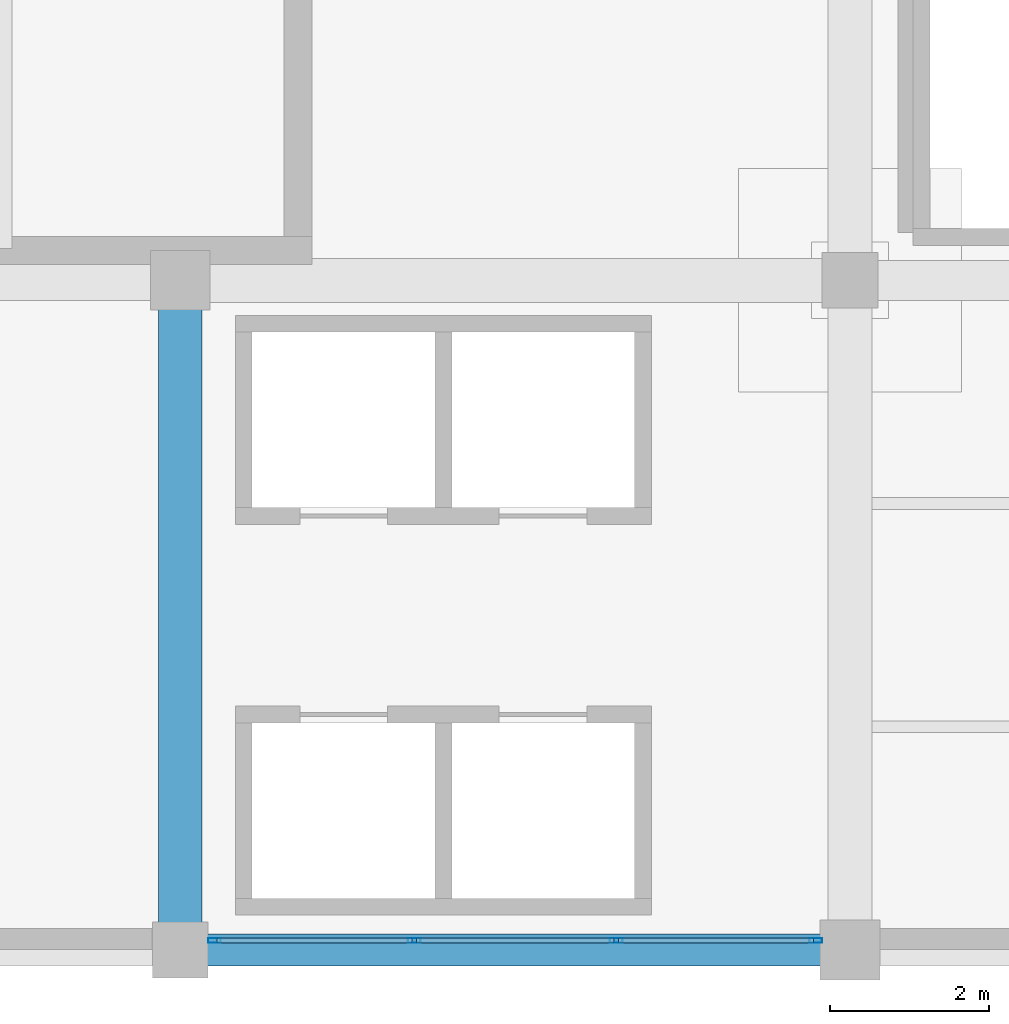
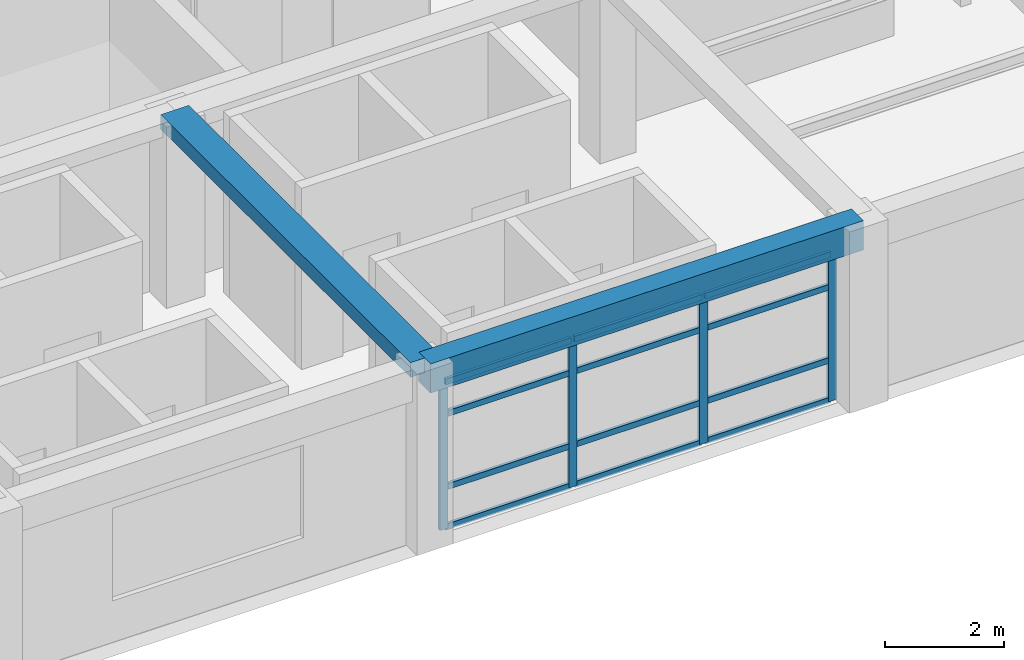
# One storey, part 4 of 26: 16 members, 2 beams, 1 element without a shape of its own.
"""IFC4 building model written with IfcOpenShell, lengths in metres."""

from ifc_helpers import new_model, si_unit, direction, frame, origin, origin_2d, place, context, subcontext, project, spatial, rectangle, hollow_rectangle, extrude, material, material_profile, profile_set, type_object, element, aggregate, save


model = new_model("IFC4")

# Units and contexts
model_context = context("Model", 3, precision=1e-05, world=origin(), true_north=direction((0.0, 1.0)))
body_context = subcontext(model_context, "Body", "Model", "MODEL_VIEW")
ifc_project = project(units=[si_unit("LENGTHUNIT", "METRE"), si_unit("AREAUNIT", "SQUARE_METRE"), si_unit("VOLUMEUNIT", "CUBIC_METRE"), si_unit("PLANEANGLEUNIT", "RADIAN"), si_unit("MASSUNIT", "GRAM", prefix="KILO")], contexts=[model_context])

# Site, building, storey
site_placement = place(None, origin())
site = spatial("IfcSite", under=ifc_project, at=site_placement, CompositionType="ELEMENT")
building_placement = place(site_placement, origin())
building = spatial("IfcBuilding", under=site, at=building_placement, Name="Almacenes y Pasaje Nevantli", CompositionType="ELEMENT")
storey_placement = place(building_placement, frame((0.0, 0.0, 30.699951171875)))
storey = spatial("IfcBuildingStorey", under=building, at=storey_placement, Name="L07", CompositionType="ELEMENT", Elevation=30.699951171875)

# Beams
ifc_material_1 = material(Name="Concrete C35/45", Category="concrete")
ifc_material_profile_1 = material_profile(ifc_material_1, rectangle(XDim=0.39990234375, YDim=0.60009765625, at=origin_2d()), Name="RC-BM-400x600")
ifc_profile_set_1 = profile_set([ifc_material_profile_1], Name="Concrete C35/45")
beam_type_1 = type_object("IfcBeamType", Name="BM-RC-400x600", PredefinedType="SPANDREL", material=ifc_profile_set_1)
beam_1_placement = place(storey_placement, frame((126.0, 67.199951171875, 3.420166015625), z_axis=(1.0, 0.0, 0.0), x_axis=(0.0, 1.0, 0.0)))
element("IfcBeam", 1, at=beam_1_placement, inside=storey, type_object=beam_type_1, Name="L07 East-West Reinforced Concrete Beam #3631", PredefinedType="SPANDREL", context=body_context, shape_type="SweptSolid", body=[
    extrude(rectangle(XDim=0.39990234375, YDim=0.60009765625, at=origin_2d()), origin(), (0.0, 0.0, 1.0), 8.39990234375),
])
ifc_material_2 = material(Name="Concrete C35/45", Category="concrete")
ifc_material_profile_2 = material_profile(ifc_material_2, rectangle(XDim=0.550048828125, YDim=0.300048828125, at=origin_2d()), Name="RC-BM-550x300")
ifc_profile_set_2 = profile_set([ifc_material_profile_2], Name="Concrete C35/45")
beam_type_2 = type_object("IfcBeamType", Name="BM-RC-550x300", PredefinedType="BEAM", material=ifc_profile_set_2)
beam_2_placement = place(storey_placement, frame((126.0, 67.199951171875, 3.570068359375), z_axis=(0.0, 1.0, 0.0), x_axis=(-1.0, 0.0, 0.0)))
element("IfcBeam", 2, at=beam_2_placement, inside=storey, type_object=beam_type_2, Name="L07 North-South Reinforced Concrete Beam #3667", PredefinedType="BEAM", context=body_context, shape_type="SweptSolid", body=[
    extrude(rectangle(XDim=0.550048828125, YDim=0.300048828125, at=origin_2d()), origin(), (0.0, 0.0, 1.0), 8.400146484375),
])

# Curtain wall, members
ifc_material_3 = material(Name="Thermally Broken Aluminium and Low-E Glass", Category="aluminium")
curtain_wall_type = type_object("IfcCurtainWallType", Name="CW-UNIT-TOWER", PredefinedType="USERDEFINED", material=ifc_material_3)
curtain_wall_placement = place(storey_placement, origin())
curtain_wall = element("IfcCurtainWall", 3, at=curtain_wall_placement, inside=storey, type_object=curtain_wall_type, Name="L07 Tower South Unitized Curtain Wall Bay 16", ObjectType="UNITIZED CURTAIN WALL", PredefinedType="USERDEFINED")
ifc_material_4 = material(Name="Thermally Broken Anodized Aluminium", Category="aluminium")
ifc_material_profile_3 = material_profile(ifc_material_4, hollow_rectangle(XDim=0.06005859375, YDim=0.159912109375, WallThickness=0.00390625, at=origin_2d()), Name="ALU-MUL-60x160")
ifc_profile_set_3 = profile_set([ifc_material_profile_3], Name="Thermally Broken Anodized Aluminium")
member_type_1 = type_object("IfcMemberType", Name="CW-MUL-180", PredefinedType="MULLION", material=ifc_profile_set_3)
member_1_placement = place(storey_placement, frame((126.429931640625, 67.320068359375, 0.0), z_axis=(0.0, 0.0, 1.0), x_axis=(0.0, 1.0, 0.0)))
member_1 = element("IfcMember", 4, at=member_1_placement, type_object=member_type_1, Name="CW-L07-113 mullion 1", PredefinedType="MULLION", context=body_context, shape_type="SweptSolid", body=[
    extrude(hollow_rectangle(XDim=0.06005859375, YDim=0.159912109375, WallThickness=0.00390625, at=origin_2d()), origin(), (0.0, 0.0, 1.0), 3.0400390625),
])
member_2_placement = place(storey_placement, frame((128.933349609375, 67.320068359375, 0.0), z_axis=(0.0, 0.0, 1.0), x_axis=(0.0, 1.0, 0.0)))
member_2 = element("IfcMember", 5, at=member_2_placement, type_object=member_type_1, Name="CW-L07-113 mullion 2", PredefinedType="MULLION", context=body_context, shape_type="SweptSolid", body=[
    extrude(hollow_rectangle(XDim=0.06005859375, YDim=0.159912109375, WallThickness=0.00390625, at=origin_2d()), origin(), (0.0, 0.0, 1.0), 3.0400390625),
])
member_3_placement = place(storey_placement, frame((131.466552734375, 67.320068359375, 0.0), z_axis=(0.0, 0.0, 1.0), x_axis=(0.0, 1.0, 0.0)))
member_3 = element("IfcMember", 6, at=member_3_placement, type_object=member_type_1, Name="CW-L07-113 mullion 3", PredefinedType="MULLION", context=body_context, shape_type="SweptSolid", body=[
    extrude(hollow_rectangle(XDim=0.06005859375, YDim=0.159912109375, WallThickness=0.00390625, at=origin_2d()), origin(), (0.0, 0.0, 1.0), 3.0400390625),
])
member_4_placement = place(storey_placement, frame((133.969970703125, 67.320068359375, 0.0), z_axis=(0.0, 0.0, 1.0), x_axis=(0.0, 1.0, 0.0)))
member_4 = element("IfcMember", 7, at=member_4_placement, type_object=member_type_1, Name="CW-L07-113 mullion 4", PredefinedType="MULLION", context=body_context, shape_type="SweptSolid", body=[
    extrude(hollow_rectangle(XDim=0.06005859375, YDim=0.159912109375, WallThickness=0.00390625, at=origin_2d()), origin(), (0.0, 0.0, 1.0), 3.0400390625),
])
ifc_material_5 = material(Name="Thermally Broken Anodized Aluminium", Category="aluminium")
ifc_material_profile_4 = material_profile(ifc_material_5, hollow_rectangle(XDim=0.06005859375, YDim=0.1201171875, WallThickness=0.00341796875, at=origin_2d()), Name="ALU-TRN-60x120")
ifc_profile_set_4 = profile_set([ifc_material_profile_4], Name="Thermally Broken Anodized Aluminium")
member_type_2 = type_object("IfcMemberType", Name="CW-TRN-130", PredefinedType="USERDEFINED", material=ifc_profile_set_4)
member_5_placement = place(storey_placement, frame((126.4599609375, 67.320068359375, 0.030029296875), z_axis=(1.0, 0.0, 0.0), x_axis=(0.0, 1.0, 0.0)))
member_5 = element("IfcMember", 8, at=member_5_placement, type_object=member_type_2, Name="CW-L07-113 transom 1.1", ObjectType="TRANSOM", PredefinedType="USERDEFINED", context=body_context, shape_type="SweptSolid", body=[
    extrude(hollow_rectangle(XDim=0.06005859375, YDim=0.1201171875, WallThickness=0.00341796875, at=origin_2d()), origin(), (0.0, 0.0, 1.0), 2.443359375),
])
member_6_placement = place(storey_placement, frame((126.4599609375, 67.320068359375, 0.85009765625), z_axis=(1.0, 0.0, 0.0), x_axis=(0.0, 1.0, 0.0)))
member_6 = element("IfcMember", 9, at=member_6_placement, type_object=member_type_2, Name="CW-L07-113 transom 1.2", ObjectType="TRANSOM", PredefinedType="USERDEFINED", context=body_context, shape_type="SweptSolid", body=[
    extrude(hollow_rectangle(XDim=0.06005859375, YDim=0.1201171875, WallThickness=0.00341796875, at=origin_2d()), origin(), (0.0, 0.0, 1.0), 2.443359375),
])
member_7_placement = place(storey_placement, frame((126.4599609375, 67.320068359375, 2.35009765625), z_axis=(1.0, 0.0, 0.0), x_axis=(0.0, 1.0, 0.0)))
member_7 = element("IfcMember", 10, at=member_7_placement, type_object=member_type_2, Name="CW-L07-113 transom 1.3", ObjectType="TRANSOM", PredefinedType="USERDEFINED", context=body_context, shape_type="SweptSolid", body=[
    extrude(hollow_rectangle(XDim=0.06005859375, YDim=0.1201171875, WallThickness=0.00341796875, at=origin_2d()), origin(), (0.0, 0.0, 1.0), 2.443359375),
])
member_8_placement = place(storey_placement, frame((126.4599609375, 67.320068359375, 3.010009765625), z_axis=(1.0, 0.0, 0.0), x_axis=(0.0, 1.0, 0.0)))
member_8 = element("IfcMember", 11, at=member_8_placement, type_object=member_type_2, Name="CW-L07-113 transom 1.4", ObjectType="TRANSOM", PredefinedType="USERDEFINED", context=body_context, shape_type="SweptSolid", body=[
    extrude(hollow_rectangle(XDim=0.06005859375, YDim=0.1201171875, WallThickness=0.00341796875, at=origin_2d()), origin(), (0.0, 0.0, 1.0), 2.443359375),
])
member_9_placement = place(storey_placement, frame((128.96337890625, 67.320068359375, 0.030029296875), z_axis=(1.0, 0.0, 0.0), x_axis=(0.0, 1.0, 0.0)))
member_9 = element("IfcMember", 12, at=member_9_placement, type_object=member_type_2, Name="CW-L07-113 transom 2.1", ObjectType="TRANSOM", PredefinedType="USERDEFINED", context=body_context, shape_type="SweptSolid", body=[
    extrude(hollow_rectangle(XDim=0.06005859375, YDim=0.1201171875, WallThickness=0.00341796875, at=origin_2d()), origin(), (0.0, 0.0, 1.0), 2.473388671875),
])
member_10_placement = place(storey_placement, frame((128.96337890625, 67.320068359375, 0.85009765625), z_axis=(1.0, 0.0, 0.0), x_axis=(0.0, 1.0, 0.0)))
member_10 = element("IfcMember", 13, at=member_10_placement, type_object=member_type_2, Name="CW-L07-113 transom 2.2", ObjectType="TRANSOM", PredefinedType="USERDEFINED", context=body_context, shape_type="SweptSolid", body=[
    extrude(hollow_rectangle(XDim=0.06005859375, YDim=0.1201171875, WallThickness=0.00341796875, at=origin_2d()), origin(), (0.0, 0.0, 1.0), 2.473388671875),
])
member_11_placement = place(storey_placement, frame((128.96337890625, 67.320068359375, 2.35009765625), z_axis=(1.0, 0.0, 0.0), x_axis=(0.0, 1.0, 0.0)))
member_11 = element("IfcMember", 14, at=member_11_placement, type_object=member_type_2, Name="CW-L07-113 transom 2.3", ObjectType="TRANSOM", PredefinedType="USERDEFINED", context=body_context, shape_type="SweptSolid", body=[
    extrude(hollow_rectangle(XDim=0.06005859375, YDim=0.1201171875, WallThickness=0.00341796875, at=origin_2d()), origin(), (0.0, 0.0, 1.0), 2.473388671875),
])
member_12_placement = place(storey_placement, frame((128.96337890625, 67.320068359375, 3.010009765625), z_axis=(1.0, 0.0, 0.0), x_axis=(0.0, 1.0, 0.0)))
member_12 = element("IfcMember", 15, at=member_12_placement, type_object=member_type_2, Name="CW-L07-113 transom 2.4", ObjectType="TRANSOM", PredefinedType="USERDEFINED", context=body_context, shape_type="SweptSolid", body=[
    extrude(hollow_rectangle(XDim=0.06005859375, YDim=0.1201171875, WallThickness=0.00341796875, at=origin_2d()), origin(), (0.0, 0.0, 1.0), 2.473388671875),
])
member_13_placement = place(storey_placement, frame((131.49658203125, 67.320068359375, 0.030029296875), z_axis=(1.0, 0.0, 0.0), x_axis=(0.0, 1.0, 0.0)))
member_13 = element("IfcMember", 16, at=member_13_placement, type_object=member_type_2, Name="CW-L07-113 transom 3.1", ObjectType="TRANSOM", PredefinedType="USERDEFINED", context=body_context, shape_type="SweptSolid", body=[
    extrude(hollow_rectangle(XDim=0.06005859375, YDim=0.1201171875, WallThickness=0.00341796875, at=origin_2d()), origin(), (0.0, 0.0, 1.0), 2.443359375),
])
member_14_placement = place(storey_placement, frame((131.49658203125, 67.320068359375, 0.85009765625), z_axis=(1.0, 0.0, 0.0), x_axis=(0.0, 1.0, 0.0)))
member_14 = element("IfcMember", 17, at=member_14_placement, type_object=member_type_2, Name="CW-L07-113 transom 3.2", ObjectType="TRANSOM", PredefinedType="USERDEFINED", context=body_context, shape_type="SweptSolid", body=[
    extrude(hollow_rectangle(XDim=0.06005859375, YDim=0.1201171875, WallThickness=0.00341796875, at=origin_2d()), origin(), (0.0, 0.0, 1.0), 2.443359375),
])
member_15_placement = place(storey_placement, frame((131.49658203125, 67.320068359375, 2.35009765625), z_axis=(1.0, 0.0, 0.0), x_axis=(0.0, 1.0, 0.0)))
member_15 = element("IfcMember", 18, at=member_15_placement, type_object=member_type_2, Name="CW-L07-113 transom 3.3", ObjectType="TRANSOM", PredefinedType="USERDEFINED", context=body_context, shape_type="SweptSolid", body=[
    extrude(hollow_rectangle(XDim=0.06005859375, YDim=0.1201171875, WallThickness=0.00341796875, at=origin_2d()), origin(), (0.0, 0.0, 1.0), 2.443359375),
])
member_16_placement = place(storey_placement, frame((131.49658203125, 67.320068359375, 3.010009765625), z_axis=(1.0, 0.0, 0.0), x_axis=(0.0, 1.0, 0.0)))
member_16 = element("IfcMember", 19, at=member_16_placement, type_object=member_type_2, Name="CW-L07-113 transom 3.4", ObjectType="TRANSOM", PredefinedType="USERDEFINED", context=body_context, shape_type="SweptSolid", body=[
    extrude(hollow_rectangle(XDim=0.06005859375, YDim=0.1201171875, WallThickness=0.00341796875, at=origin_2d()), origin(), (0.0, 0.0, 1.0), 2.443359375),
])
aggregate(curtain_wall, [member_1, member_2, member_3, member_4, member_5, member_6, member_7, member_8, member_9, member_10, member_11, member_12, member_13, member_14, member_15, member_16])

save(model, "model.ifc")
